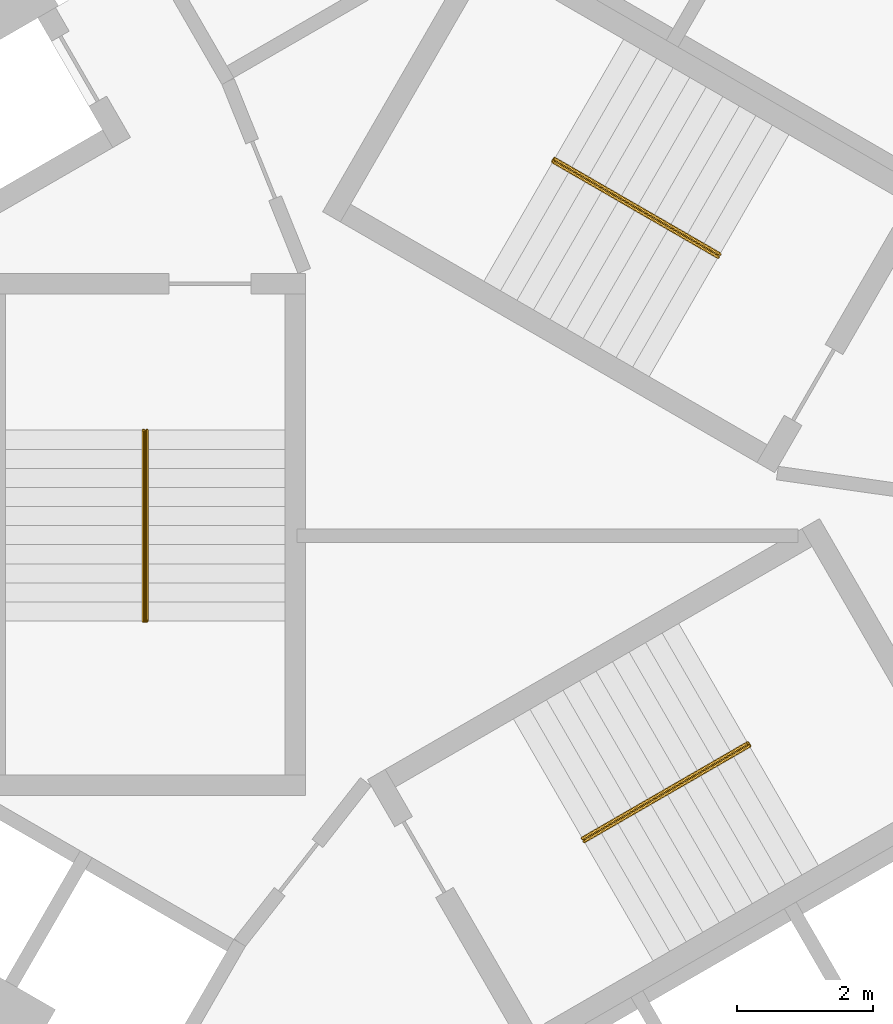
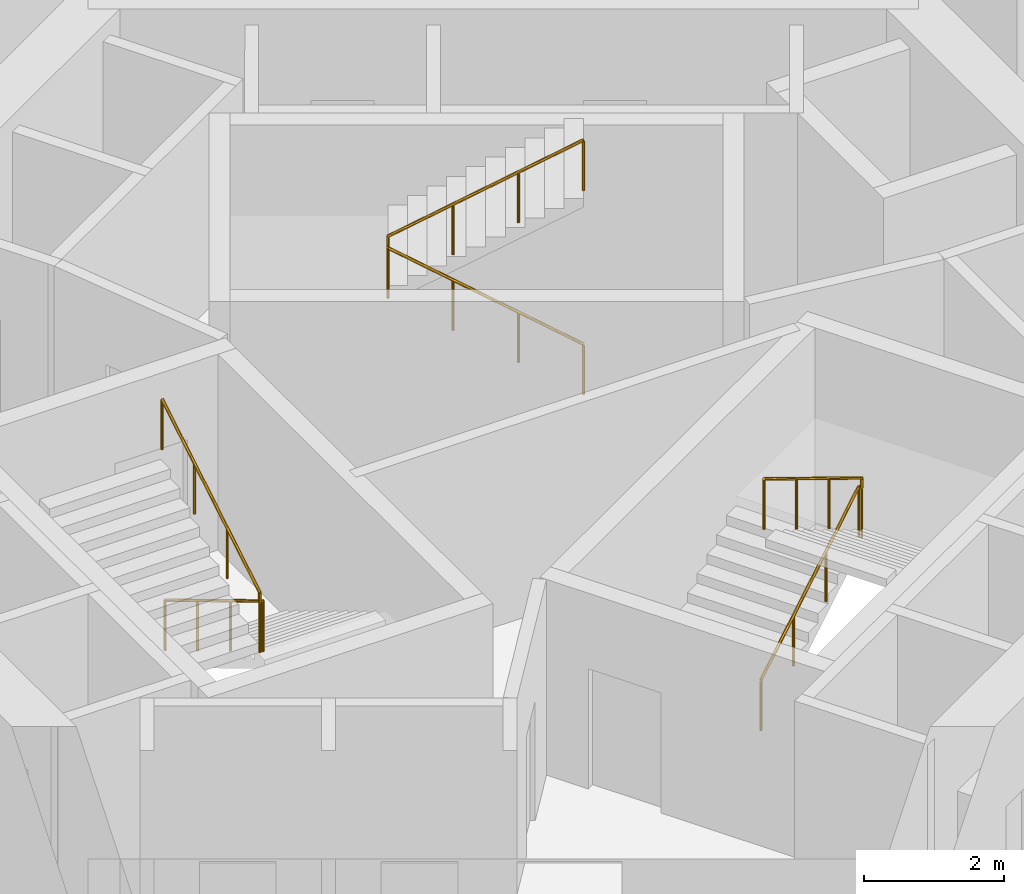
# One storey, part 11 of 11: 3 railings.
"""IFC4 building model written with IfcOpenShell, lengths in metres."""

from ifc_helpers import new_model, si_unit, direction, frame, origin, origin_2d, place, context, subcontext, project, spatial, circle, extrude, material, type_object, element, save


model = new_model("IFC4")

# Units and contexts
model_context = context("Model", 3, precision=1e-05, world=origin(), true_north=direction((0.0, 1.0)))
body_context = subcontext(model_context, "Body", "Model", "MODEL_VIEW")
ifc_project = project(units=[si_unit("LENGTHUNIT", "METRE"), si_unit("AREAUNIT", "SQUARE_METRE"), si_unit("VOLUMEUNIT", "CUBIC_METRE"), si_unit("PLANEANGLEUNIT", "RADIAN"), si_unit("MASSUNIT", "GRAM", prefix="KILO")], contexts=[model_context])

# Site, building, storey
site_placement = place(None, origin())
site = spatial("IfcSite", under=ifc_project, at=site_placement, CompositionType="ELEMENT")
building_placement = place(site_placement, origin())
building = spatial("IfcBuilding", under=site, at=building_placement, Name="Vanh Sen Convention Tower", CompositionType="ELEMENT")
storey_placement = place(building_placement, frame((0.0, 0.0, 243.89990234375)))
storey = spatial("IfcBuildingStorey", under=building, at=storey_placement, Name="L60", CompositionType="ELEMENT", Elevation=243.89990234375)

# Railings
ifc_material = material(Name="Stainless steel handrail", Category="steel")
railing_type = type_object("IfcRailingType", Name="Stair handrail 900", PredefinedType="HANDRAIL", material=ifc_material)
railing_1_placement = place(storey_placement, frame((3.45849609375, 3.690185546875, 0.168212890625)))
element("IfcRailing", 1, at=railing_1_placement, inside=storey, type_object=railing_type, Name="Stair handrail ST1 L60", PredefinedType="HANDRAIL", context=body_context, shape_type="SweptSolid", body=[
    extrude(circle(Radius=0.02392578125, at=origin_2d()), frame((0.0, 0.0, 0.8759765625), z_axis=(-0.742390482028, 0.42860119049, 0.514934356695), x_axis=(-0.49998411664, -0.866034573852, 0.0)), (0.0, 0.0, 1.0), 3.26611328125),
    extrude(circle(Radius=0.02392578125, at=origin_2d()), frame((-2.4248046875, 1.39990234375, 2.5576171875), z_axis=(0.497188445666, 0.867642581652, 0.0), x_axis=(-0.867642581652, 0.497188445666, 0.0)), (0.0, 0.0, 1.0), 0.050048828125),
    extrude(circle(Radius=0.02392578125, at=origin_2d()), frame((-2.39990234375, 1.443359375, 2.5576171875), z_axis=(0.0, 0.0, 1.0), x_axis=(1.0, 0.0, 0.0)), (0.0, 0.0, 1.0), 0.168212890625),
    extrude(circle(Radius=0.02392578125, at=origin_2d()), frame((-2.39990234375, 1.443359375, 2.72607421875), z_axis=(0.742366697286, -0.42866220388, 0.514917859203), x_axis=(0.500049511043, 0.865996816683, 0.0)), (0.0, 0.0, 1.0), 3.266357421875),
    extrude(circle(Radius=0.02099609375, at=origin_2d()), origin(), (0.0, 0.0, 1.0), 0.851806640625),
    extrude(circle(Radius=0.02099609375, at=origin_2d()), frame((-0.808349609375, 0.466552734375, 0.560546875)), (0.0, 0.0, 1.0), 0.851806640625),
    extrude(circle(Radius=0.02099609375, at=origin_2d()), frame((-1.616455078125, 0.933349609375, 1.121337890625)), (0.0, 0.0, 1.0), 0.851806640625),
    extrude(circle(Radius=0.02099609375, at=origin_2d()), frame((-2.4248046875, 1.39990234375, 1.681884765625)), (0.0, 0.0, 1.0), 0.851806640625),
    extrude(circle(Radius=0.02099609375, at=origin_2d()), frame((-2.39990234375, 1.443359375, 1.681884765625)), (0.0, 0.0, 1.0), 0.851806640625),
    extrude(circle(Radius=0.02099609375, at=origin_2d()), frame((-2.39990234375, 1.443359375, 1.85009765625)), (0.0, 0.0, 1.0), 0.851806640625),
    extrude(circle(Radius=0.02099609375, at=origin_2d()), frame((-1.591552734375, 0.9765625, 2.41064453125)), (0.0, 0.0, 1.0), 0.851806640625),
    extrude(circle(Radius=0.02099609375, at=origin_2d()), frame((-0.783447265625, 0.510009765625, 2.971435546875)), (0.0, 0.0, 1.0), 0.851806640625),
    extrude(circle(Radius=0.02099609375, at=origin_2d()), frame((0.02490234375, 0.043212890625, 3.531982421875)), (0.0, 0.0, 1.0), 0.851806640625),
])
railing_2_placement = place(storey_placement, frame((-4.925048828125, 1.14990234375, 0.168212890625)))
element("IfcRailing", 2, at=railing_2_placement, inside=storey, type_object=railing_type, Name="Stair handrail ST2 L60", PredefinedType="HANDRAIL", context=body_context, shape_type="SweptSolid", body=[
    extrude(circle(Radius=0.02392578125, at=origin_2d()), frame((0.0, 0.0, 0.8759765625), z_axis=(0.0, -0.857222391501, 0.514946377315), x_axis=(1.0, 0.0, 0.0)), (0.0, 0.0, 1.0), 3.26611328125),
    extrude(circle(Radius=0.02392578125, at=origin_2d()), frame((0.0, -2.7998046875, 2.5576171875), z_axis=(-1.0, 0.0, 0.0), x_axis=(0.0, -1.0, 0.0)), (0.0, 0.0, 1.0), 0.050048828125),
    extrude(circle(Radius=0.02392578125, at=origin_2d()), frame((-0.050048828125, -2.7998046875, 2.5576171875), z_axis=(0.0, 0.0, 1.0), x_axis=(1.0, 0.0, 0.0)), (0.0, 0.0, 1.0), 0.168212890625),
    extrude(circle(Radius=0.02392578125, at=origin_2d()), frame((-0.050048828125, -2.7998046875, 2.72607421875), z_axis=(0.0, 0.857222391501, 0.514946377315), x_axis=(-1.0, 0.0, 0.0)), (0.0, 0.0, 1.0), 3.26611328125),
    extrude(circle(Radius=0.02099609375, at=origin_2d()), origin(), (0.0, 0.0, 1.0), 0.851806640625),
    extrude(circle(Radius=0.02099609375, at=origin_2d()), frame((0.0, -0.933349609375, 0.560546875)), (0.0, 0.0, 1.0), 0.851806640625),
    extrude(circle(Radius=0.02099609375, at=origin_2d()), frame((0.0, -1.866455078125, 1.121337890625)), (0.0, 0.0, 1.0), 0.851806640625),
    extrude(circle(Radius=0.02099609375, at=origin_2d()), frame((0.0, -2.7998046875, 1.681884765625)), (0.0, 0.0, 1.0), 0.851806640625),
    extrude(circle(Radius=0.02099609375, at=origin_2d()), frame((-0.050048828125, -2.7998046875, 1.681884765625)), (0.0, 0.0, 1.0), 0.851806640625),
    extrude(circle(Radius=0.02099609375, at=origin_2d()), frame((-0.050048828125, -2.7998046875, 1.85009765625)), (0.0, 0.0, 1.0), 0.851806640625),
    extrude(circle(Radius=0.02099609375, at=origin_2d()), frame((-0.050048828125, -1.866455078125, 2.41064453125)), (0.0, 0.0, 1.0), 0.851806640625),
    extrude(circle(Radius=0.02099609375, at=origin_2d()), frame((-0.050048828125, -0.933349609375, 2.971435546875)), (0.0, 0.0, 1.0), 0.851806640625),
    extrude(circle(Radius=0.02099609375, at=origin_2d()), frame((-0.050048828125, 0.0, 3.531982421875)), (0.0, 0.0, 1.0), 0.851806640625),
])
railing_3_placement = place(storey_placement, frame((1.466552734375, -4.840087890625, 0.168212890625)))
element("IfcRailing", 3, at=railing_3_placement, inside=storey, type_object=railing_type, Name="Stair handrail ST3 L60", PredefinedType="HANDRAIL", context=body_context, shape_type="SweptSolid", body=[
    extrude(circle(Radius=0.02392578125, at=origin_2d()), frame((0.0, 0.0, 0.8759765625), z_axis=(0.742390482028, 0.42860119049, 0.514934356695), x_axis=(-0.49998411664, 0.866034573852, 0.0)), (0.0, 0.0, 1.0), 3.26611328125),
    extrude(circle(Radius=0.02392578125, at=origin_2d()), frame((2.4248046875, 1.39990234375, 2.5576171875), z_axis=(0.502959906984, -0.86430974307, 0.0), x_axis=(0.86430974307, 0.502959906984, 0.0)), (0.0, 0.0, 1.0), 0.050048828125),
    extrude(circle(Radius=0.02392578125, at=origin_2d()), frame((2.449951171875, 1.356689453125, 2.5576171875), z_axis=(0.0, 0.0, 1.0), x_axis=(1.0, 0.0, 0.0)), (0.0, 0.0, 1.0), 0.168212890625),
    extrude(circle(Radius=0.02392578125, at=origin_2d()), frame((2.449951171875, 1.356689453125, 2.72607421875), z_axis=(-0.742366697286, -0.42866220388, 0.514917859203), x_axis=(0.500049511043, -0.865996816683, 0.0)), (0.0, 0.0, 1.0), 3.266357421875),
    extrude(circle(Radius=0.02099609375, at=origin_2d()), origin(), (0.0, 0.0, 1.0), 0.851806640625),
    extrude(circle(Radius=0.02099609375, at=origin_2d()), frame((0.808349609375, 0.466552734375, 0.560546875)), (0.0, 0.0, 1.0), 0.851806640625),
    extrude(circle(Radius=0.02099609375, at=origin_2d()), frame((1.616455078125, 0.933349609375, 1.121337890625)), (0.0, 0.0, 1.0), 0.851806640625),
    extrude(circle(Radius=0.02099609375, at=origin_2d()), frame((2.4248046875, 1.39990234375, 1.681884765625)), (0.0, 0.0, 1.0), 0.851806640625),
    extrude(circle(Radius=0.02099609375, at=origin_2d()), frame((2.449951171875, 1.356689453125, 1.681884765625)), (0.0, 0.0, 1.0), 0.851806640625),
    extrude(circle(Radius=0.02099609375, at=origin_2d()), frame((2.449951171875, 1.356689453125, 1.85009765625)), (0.0, 0.0, 1.0), 0.851806640625),
    extrude(circle(Radius=0.02099609375, at=origin_2d()), frame((1.6416015625, 0.889892578125, 2.41064453125)), (0.0, 0.0, 1.0), 0.851806640625),
    extrude(circle(Radius=0.02099609375, at=origin_2d()), frame((0.83349609375, 0.42333984375, 2.971435546875)), (0.0, 0.0, 1.0), 0.851806640625),
    extrude(circle(Radius=0.02099609375, at=origin_2d()), frame((0.025146484375, -0.04345703125, 3.531982421875)), (0.0, 0.0, 1.0), 0.851806640625),
])

save(model, "model.ifc")
